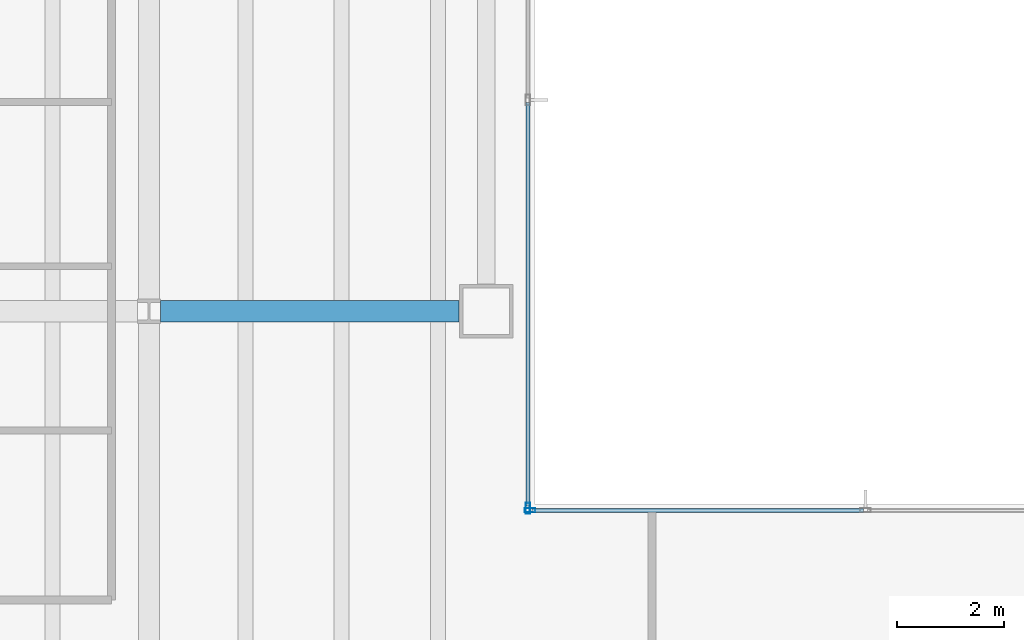
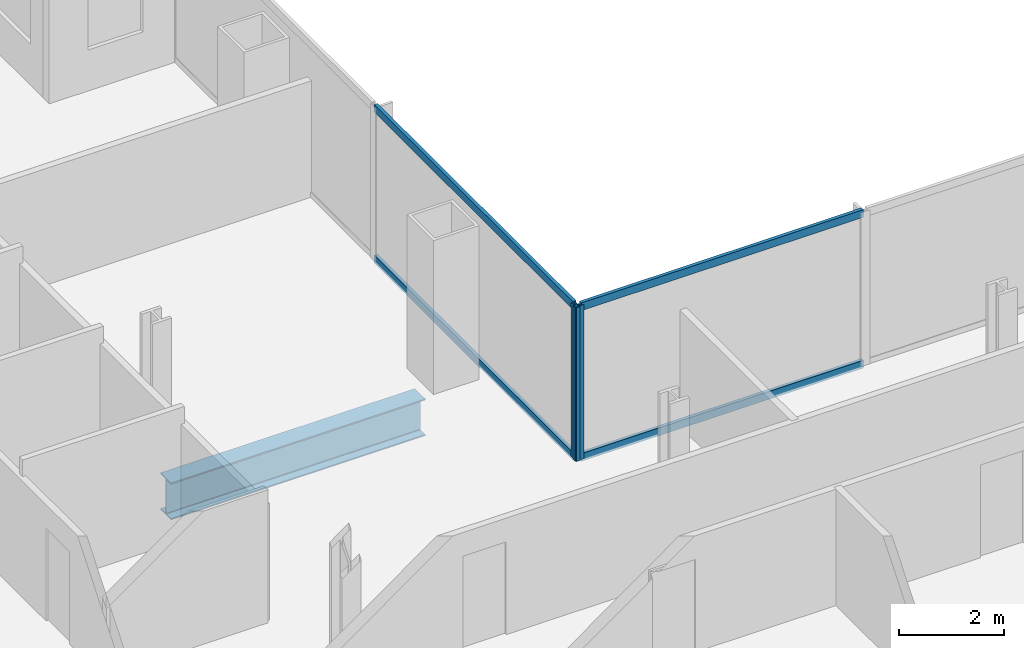
# One storey, part 6 of 25: 6 members, 1 beam, 2 elements without a shape of their own.
"""IFC4 building model written with IfcOpenShell, lengths in metres."""

from ifc_helpers import new_model, si_unit, direction, frame, origin, origin_2d, place, context, subcontext, project, spatial, hollow_rectangle, i_section, extrude, material, material_profile, profile_set, type_object, element, aggregate, save


model = new_model("IFC4")

# Units and contexts
model_context = context("Model", 3, precision=1e-05, world=origin(), true_north=direction((0.0, 1.0)))
body_context = subcontext(model_context, "Body", "Model", "MODEL_VIEW")
ifc_project = project(units=[si_unit("LENGTHUNIT", "METRE"), si_unit("AREAUNIT", "SQUARE_METRE"), si_unit("VOLUMEUNIT", "CUBIC_METRE"), si_unit("PLANEANGLEUNIT", "RADIAN"), si_unit("MASSUNIT", "GRAM", prefix="KILO")], contexts=[model_context])

# Site, building, storey
site_placement = place(None, origin())
site = spatial("IfcSite", under=ifc_project, at=site_placement, CompositionType="ELEMENT")
building_placement = place(site_placement, origin())
building = spatial("IfcBuilding", under=site, at=building_placement, Name="Cobrela Telecom Tower", CompositionType="ELEMENT")
storey_placement = place(building_placement, frame((0.0, 0.0, 58.10009765625)))
storey = spatial("IfcBuildingStorey", under=building, at=storey_placement, Name="L14", CompositionType="ELEMENT", Elevation=58.10009765625)

# Beam
ifc_material_1 = material(Name="Steel ASTM A992 Grade 50", Category="steel")
ifc_material_profile_1 = material_profile(ifc_material_1, i_section(OverallWidth=0.39892578125, OverallDepth=0.85595703125, WebThickness=0.018310546875, FlangeThickness=0.029296875, FilletRadius=0.02001953125, at=origin_2d()), Name="W33X201")
ifc_profile_set_1 = profile_set([ifc_material_profile_1], Name="Steel ASTM A992 Grade 50")
beam_type = type_object("IfcBeamType", Name="BM-GIRD-03", PredefinedType="USERDEFINED", material=ifc_profile_set_1)
beam_placement = place(storey_placement, frame((21.81591796875, 28.800048828125, -0.7080078125), z_axis=(1.0, 0.0, 0.0), x_axis=(0.0, 1.0, 0.0)))
element("IfcBeam", 1, at=beam_placement, inside=storey, type_object=beam_type, Name="L14 Primary Girder X24", ObjectType="GIRDER", PredefinedType="USERDEFINED", context=body_context, shape_type="SweptSolid", body=[
    extrude(i_section(OverallWidth=0.39892578125, OverallDepth=0.85595703125, WebThickness=0.018310546875, FlangeThickness=0.029296875, FilletRadius=0.02001953125, at=origin_2d()), origin(), (0.0, 0.0, 1.0), 5.5791015625),
])

# Curtain wall, member
ifc_material_2 = material(Name="Anodized Bronze Aluminium 6063-T6", Category="aluminium")
curtain_wall_type = type_object("IfcCurtainWallType", Name="CW-SYS-DATA", PredefinedType="USERDEFINED", material=ifc_material_2)
curtain_wall_1_placement = place(storey_placement, origin())
curtain_wall_1 = element("IfcCurtainWall", 2, at=curtain_wall_1_placement, inside=storey, type_object=curtain_wall_type, Name="L14 Unitised Bronze Curtain Wall 10", ObjectType="UNITISED CURTAIN WALL", PredefinedType="USERDEFINED")
ifc_material_profile_2 = material_profile(ifc_material_2, hollow_rectangle(XDim=0.080078125, YDim=0.199951171875, WallThickness=0.00390625, at=origin_2d()), Name="ALU 80x200x4")
ifc_profile_set_2 = profile_set([ifc_material_profile_2], Name="Anodized Bronze Aluminium 6063-T6")
member_type_1 = type_object("IfcMemberType", Name="CW-SYS-DATA-MUL", PredefinedType="MULLION", material=ifc_profile_set_2)
member_1_placement = place(storey_placement, frame((28.679931640625, 25.1201171875, 0.0), z_axis=(0.0, 0.0, 1.0), x_axis=(1.0, 0.0, 0.0)))
member_1 = element("IfcMember", 3, at=member_1_placement, type_object=member_type_1, Name="CW-DATA mullion 3", PredefinedType="MULLION", context=body_context, shape_type="SweptSolid", body=[
    extrude(hollow_rectangle(XDim=0.080078125, YDim=0.199951171875, WallThickness=0.00390625, at=origin_2d()), origin(), (0.0, 0.0, 1.0), 3.56982421875),
])

curtain_wall_2_placement = place(storey_placement, origin())
curtain_wall_2 = element("IfcCurtainWall", 4, at=curtain_wall_2_placement, inside=storey, type_object=curtain_wall_type, Name="L14 Unitised Bronze Curtain Wall 11", ObjectType="UNITISED CURTAIN WALL", PredefinedType="USERDEFINED")
member_2_placement = place(storey_placement, frame((28.719970703125, 25.080078125, 0.0), z_axis=(0.0, 0.0, 1.0), x_axis=(0.0, 1.0, 0.0)))
member_2 = element("IfcMember", 5, at=member_2_placement, type_object=member_type_1, Name="CW-DATA mullion 1", PredefinedType="MULLION", context=body_context, shape_type="SweptSolid", body=[
    extrude(hollow_rectangle(XDim=0.080078125, YDim=0.199951171875, WallThickness=0.00390625, at=origin_2d()), origin(), (0.0, 0.0, 1.0), 3.56982421875),
])

# Member
ifc_material_profile_3 = material_profile(ifc_material_2, hollow_rectangle(XDim=0.074951171875, YDim=0.179931640625, WallThickness=0.00390625, at=origin_2d()), Name="ALU 75x180x4")
ifc_profile_set_3 = profile_set([ifc_material_profile_3], Name="Anodized Bronze Aluminium 6063-T6")
member_type_2 = type_object("IfcMemberType", Name="CW-SYS-DATA-TRN", PredefinedType="USERDEFINED", material=ifc_profile_set_3)
member_3_placement = place(storey_placement, frame((28.679931640625, 32.705078125, 0.037353515625), z_axis=(0.0, -1.0, 0.0), x_axis=(1.0, 0.0, 0.0)))
member_3 = element("IfcMember", 6, at=member_3_placement, type_object=member_type_2, Name="CW-DATA transom 2.1", ObjectType="TRANSOM", PredefinedType="USERDEFINED", context=body_context, shape_type="SweptSolid", body=[
    extrude(hollow_rectangle(XDim=0.074951171875, YDim=0.179931640625, WallThickness=0.00390625, at=origin_2d()), origin(), (0.0, 0.0, 1.0), 7.545166015625),
])

member_4_placement = place(storey_placement, frame((28.679931640625, 32.705078125, 3.532470703125), z_axis=(0.0, -1.0, 0.0), x_axis=(1.0, 0.0, 0.0)))
member_4 = element("IfcMember", 7, at=member_4_placement, type_object=member_type_2, Name="CW-DATA transom 2.2", ObjectType="TRANSOM", PredefinedType="USERDEFINED", context=body_context, shape_type="SweptSolid", body=[
    extrude(hollow_rectangle(XDim=0.074951171875, YDim=0.179931640625, WallThickness=0.00390625, at=origin_2d()), origin(), (0.0, 0.0, 1.0), 7.545166015625),
])

aggregate(curtain_wall_1, [member_1, member_3, member_4])

member_5_placement = place(storey_placement, frame((28.760009765625, 25.080078125, 0.037353515625), z_axis=(1.0, 0.0, 0.0), x_axis=(0.0, 1.0, 0.0)))
member_5 = element("IfcMember", 8, at=member_5_placement, type_object=member_type_2, Name="CW-DATA transom 1.1", ObjectType="TRANSOM", PredefinedType="USERDEFINED", context=body_context, shape_type="SweptSolid", body=[
    extrude(hollow_rectangle(XDim=0.074951171875, YDim=0.179931640625, WallThickness=0.00390625, at=origin_2d()), origin(), (0.0, 0.0, 1.0), 6.18994140625),
])

member_6_placement = place(storey_placement, frame((28.760009765625, 25.080078125, 3.532470703125), z_axis=(1.0, 0.0, 0.0), x_axis=(0.0, 1.0, 0.0)))
member_6 = element("IfcMember", 9, at=member_6_placement, type_object=member_type_2, Name="CW-DATA transom 1.2", ObjectType="TRANSOM", PredefinedType="USERDEFINED", context=body_context, shape_type="SweptSolid", body=[
    extrude(hollow_rectangle(XDim=0.074951171875, YDim=0.179931640625, WallThickness=0.00390625, at=origin_2d()), origin(), (0.0, 0.0, 1.0), 6.18994140625),
])

aggregate(curtain_wall_2, [member_2, member_5, member_6])

save(model, "model.ifc")
